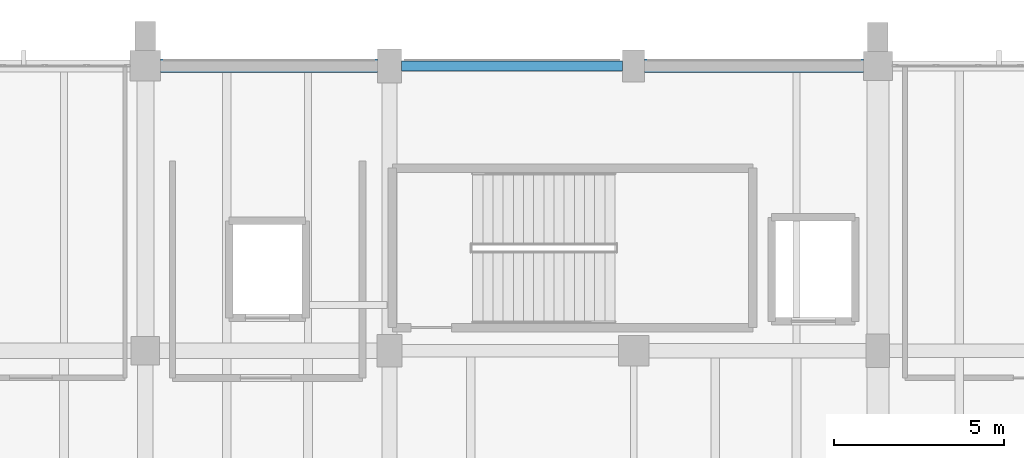
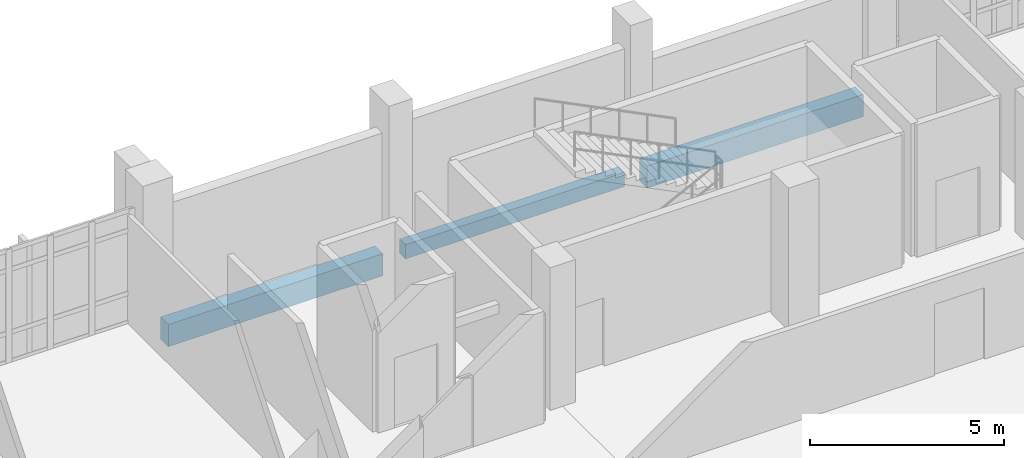
# One storey, part 58 of 134: 3 beams.
"""IFC4 building model written with IfcOpenShell, lengths in metres."""

from ifc_helpers import new_model, si_unit, direction, frame, origin, origin_2d, place, context, subcontext, project, spatial, rectangle, extrude, material, material_profile, profile_set, type_object, element, save


model = new_model("IFC4")

# Units and contexts
model_context = context("Model", 3, precision=1e-05, world=origin(), true_north=direction((0.0, 1.0)))
body_context = subcontext(model_context, "Body", "Model", "MODEL_VIEW")
ifc_project = project(units=[si_unit("LENGTHUNIT", "METRE"), si_unit("AREAUNIT", "SQUARE_METRE"), si_unit("VOLUMEUNIT", "CUBIC_METRE"), si_unit("PLANEANGLEUNIT", "RADIAN"), si_unit("MASSUNIT", "GRAM", prefix="KILO")], contexts=[model_context])

# Site, building, storey
site_placement = place(None, origin())
site = spatial("IfcSite", under=ifc_project, at=site_placement, CompositionType="ELEMENT")
building_placement = place(site_placement, origin())
building = spatial("IfcBuilding", under=site, at=building_placement, Name="Kalluvel Institute of Natural Sciences", CompositionType="ELEMENT")
storey_placement = place(building_placement, frame((0.0, 0.0, 5.39990234375)))
storey = spatial("IfcBuildingStorey", under=building, at=storey_placement, Name="L01", CompositionType="ELEMENT", Elevation=5.39990234375)

# Beams
ifc_material = material(Name="Concrete M40", Category="concrete")
ifc_material_profile_1 = material_profile(ifc_material, rectangle(XDim=0.300048828125, YDim=0.449951171875, at=origin_2d()), Name="RCB 300x450")
ifc_profile_set_1 = profile_set([ifc_material_profile_1], Name="Concrete M40")
beam_type_1 = type_object("IfcBeamType", Name="SP-RC300x450", PredefinedType="SPANDREL", material=ifc_profile_set_1)
beam_1_placement = place(storey_placement, frame((64.75, 128.0, -0.544921875), z_axis=(1.0, 0.0, 0.0), x_axis=(0.0, 1.0, 0.0)))
element("IfcBeam", 1, at=beam_1_placement, inside=storey, type_object=beam_type_1, Name="L01 girder GIR-L01-EW-X644-Y1280", PredefinedType="SPANDREL", context=body_context, shape_type="SweptSolid", body=[
    extrude(rectangle(XDim=0.300048828125, YDim=0.449951171875, at=origin_2d()), origin(), (0.0, 0.0, 1.0), 6.52490234375),
])
ifc_material_profile_2 = material_profile(ifc_material, rectangle(XDim=0.39990234375, YDim=0.699951171875, at=origin_2d()), Name="RCB 400x700")
ifc_profile_set_2 = profile_set([ifc_material_profile_2], Name="Concrete M40")
beam_type_2 = type_object("IfcBeamType", Name="SP-RC400x700", PredefinedType="SPANDREL", material=ifc_profile_set_2)
beam_2_placement = place(storey_placement, frame((57.64990234375, 128.0, -0.669921875), z_axis=(1.0, 0.0, 0.0), x_axis=(0.0, 1.0, 0.0)))
element("IfcBeam", 2, at=beam_2_placement, inside=storey, type_object=beam_type_2, Name="L01 girder GIR-L01-EW-X572-Y1280", PredefinedType="SPANDREL", context=body_context, shape_type="SweptSolid", body=[
    extrude(rectangle(XDim=0.39990234375, YDim=0.699951171875, at=origin_2d()), origin(), (0.0, 0.0, 1.0), 6.400146484375),
])
beam_3_placement = place(storey_placement, frame((71.925048828125, 128.0, -0.669921875), z_axis=(1.0, 0.0, 0.0), x_axis=(0.0, 1.0, 0.0)))
element("IfcBeam", 3, at=beam_3_placement, inside=storey, type_object=beam_type_2, Name="L01 girder GIR-L01-EW-X716-Y1280", PredefinedType="SPANDREL", context=body_context, shape_type="SweptSolid", body=[
    extrude(rectangle(XDim=0.39990234375, YDim=0.699951171875, at=origin_2d()), origin(), (0.0, 0.0, 1.0), 6.449951171875),
])

save(model, "model.ifc")
